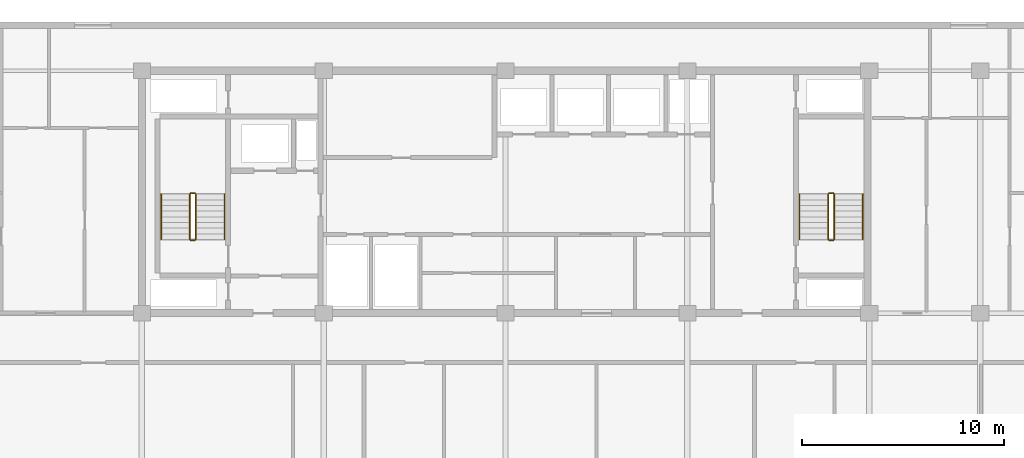
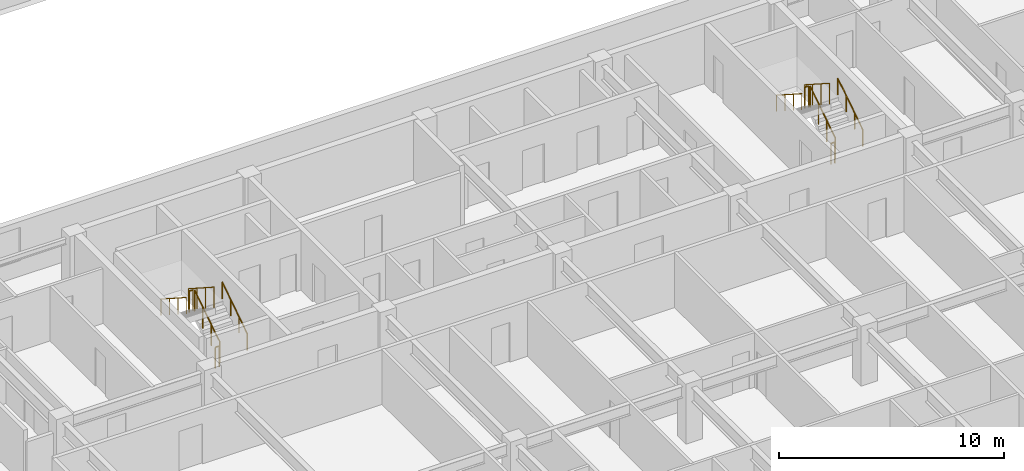
# One storey, part 18 of 21: 12 railings.
"""IFC4 building model written with IfcOpenShell, lengths in metres."""

import ifcopenshell
import ifcopenshell.guid

model = None  # the IFC model being written
_history = None  # IfcOwnerHistory: only IFC2X3 demands one
_inside = {}  # id of a spatial element -> (the spatial element, [elements in it])
_under = {}  # id of a project, library or spatial element -> (it, [spatial elements below it])
_declared = {}  # id of a project -> (the project, [libraries it declares])
_typed = {}  # id of a type object -> (the type object, [elements of that type])
_made_of = {}  # id of a material, layer set ... -> (it, [elements and type objects made of it])


def new_model(schema):
    """Start an empty IFC model of exactly this schema.

    Asked for "IFC4X3", IfcOpenShell would pick the latest addendum, in which some entities
    have other attributes; the version numbers below select the first issue.
    IFC2X3 requires an IfcOwnerHistory on every rooted entity: one is made here for all.
    """
    global model, _history
    if schema == "IFC4X3":
        model = ifcopenshell.file(schema_version=(4, 3, 0, 0))
    else:
        model = ifcopenshell.file(schema=schema)
    _inside.clear()
    _under.clear()
    _declared.clear()
    _typed.clear()
    _made_of.clear()
    _history = None
    if model.schema == "IFC2X3":
        org = make("IfcOrganization", Name="unknown")
        user = make(
            "IfcPersonAndOrganization",
            ThePerson=make("IfcPerson", FamilyName="unknown"),
            TheOrganization=org,
        )
        app = make(
            "IfcApplication",
            ApplicationDeveloper=org,
            Version="unknown",
            ApplicationFullName="unknown",
            ApplicationIdentifier="unknown",
        )
        _history = make(
            "IfcOwnerHistory",
            OwningUser=user,
            OwningApplication=app,
            ChangeAction="ADDED",
            CreationDate=0,
        )
    return model


def make(cls, **values):
    """One entity of the class cls with the attributes given. An attribute that is None is left unset."""
    return model.create_entity(
        cls, **{name: value for name, value in values.items() if value is not None}
    )


def rooted(cls, **values):
    """An entity with a GlobalId (a new one), such as an element, a storey or a relation."""
    return make(cls, GlobalId=ifcopenshell.guid.new(), OwnerHistory=_history, **values)


def si_unit(unit_type, name, prefix=None):
    """IfcSIUnit, for example si_unit("LENGTHUNIT", "METRE", prefix="MILLI")."""
    return make("IfcSIUnit", UnitType=unit_type, Prefix=prefix, Name=name)


def assignment(units):
    """IfcUnitAssignment: the units of a project."""
    return None if units is None else make("IfcUnitAssignment", Units=units)


def point(xyz):
    """IfcCartesianPoint."""
    return None if xyz is None else make("IfcCartesianPoint", Coordinates=xyz)


def direction(xyz):
    """IfcDirection."""
    return None if xyz is None else make("IfcDirection", DirectionRatios=xyz)


def frame(location, z_axis=None, x_axis=None):
    """IfcAxis2Placement3D, a coordinate frame: its origin and axes. An axis left out is left unset."""
    return make(
        "IfcAxis2Placement3D",
        Location=point(location),
        Axis=direction(z_axis),
        RefDirection=direction(x_axis),
    )


def frame_2d(location, x_axis=None):
    """IfcAxis2Placement2D, a coordinate frame in the plane: its origin and x axis."""
    return make(
        "IfcAxis2Placement2D", Location=point(location), RefDirection=direction(x_axis)
    )


def origin():
    """The frame at (0, 0, 0) with its axes left unset."""
    return frame((0.0, 0.0, 0.0))


def origin_2d():
    """The frame at (0, 0) in the plane with its x axis left unset."""
    return frame_2d((0.0, 0.0))


def place(relative_to, where):
    """IfcLocalPlacement: puts the frame where relative to a parent placement (None: the world)."""
    return make(
        "IfcLocalPlacement", PlacementRelTo=relative_to, RelativePlacement=where
    )


def context(
    kind, dimensions, precision=None, world=None, true_north=None, identifier=None
):
    """IfcGeometricRepresentationContext, for example the 3D "Model" context."""
    return make(
        "IfcGeometricRepresentationContext",
        ContextIdentifier=identifier,
        ContextType=kind,
        CoordinateSpaceDimension=dimensions,
        Precision=precision,
        WorldCoordinateSystem=world,
        TrueNorth=true_north,
    )


def subcontext(parent, identifier, kind, view, scale=None):
    """IfcGeometricRepresentationSubContext, for example "Body" below "Model"."""
    return make(
        "IfcGeometricRepresentationSubContext",
        ContextIdentifier=identifier,
        ContextType=kind,
        ParentContext=parent,
        TargetScale=scale,
        TargetView=view,
    )


def project(units=None, contexts=None):
    """IfcProject with its units and contexts."""
    return rooted(
        "IfcProject",
        Name="project",
        RepresentationContexts=contexts,
        UnitsInContext=assignment(units),
    )


def spatial(cls, under=None, at=None, **own):
    """A site, building, storey or space (cls), placed at a placement, below another one or the project."""
    s = rooted(cls, ObjectPlacement=at, **own)
    if under is not None:
        _under.setdefault(under.id(), (under, []))[1].append(s)
    return s


def profile(cls, at=None, kind="AREA", **sizes):
    """A parametric profile (cls). Its sizes go by their IFC names, for example OverallWidth=200.0."""
    return make(cls, ProfileType=kind, Position=at, **sizes)


def circle(**sizes):
    """IfcCircleProfileDef."""
    return profile("IfcCircleProfileDef", **sizes)


def extrude(swept, where, along, depth):
    """IfcExtrudedAreaSolid: the profile swept, set in the frame where, extruded along a direction by depth."""
    return make(
        "IfcExtrudedAreaSolid",
        SweptArea=swept,
        Position=where,
        ExtrudedDirection=direction(along),
        Depth=depth,
    )


def shape(context_of_items, identifier, shape_type, items):
    """IfcShapeRepresentation: the items that make up one representation, for example the "Body"."""
    return make(
        "IfcShapeRepresentation",
        ContextOfItems=context_of_items,
        RepresentationIdentifier=identifier,
        RepresentationType=shape_type,
        Items=items,
    )


def material(Name=None, Category=None):
    """IfcMaterial."""
    return make("IfcMaterial", Name=Name, Category=Category)


def made_of(thing, what):
    """Note that an element or type object is made of a material, layer set ...; save() writes the relation."""
    if what is not None:
        _made_of.setdefault(what.id(), (what, []))[1].append(thing)
    return thing


def type_object(cls, material=None, **own):
    """A type object (cls), such as IfcWallType, which elements share."""
    return made_of(rooted(cls, **own), material)


def element(
    cls,
    number,
    at=None,
    inside=None,
    cuts=None,
    type_object=None,
    material=None,
    context=None,
    identifier="Body",
    shape_type=None,
    held_by="IfcProductDefinitionShape",
    body=None,
    shapes=None,
    **own,
):
    """One element of the class cls, such as IfcWall. Its Tag is "e" and its number.

    at: its placement. inside: the storey or other place that contains it. cuts: it is an
    opening in that element (IfcRelVoidsElement). A single representation is given by context,
    identifier, shape_type and body (its items); several are given by shapes. held_by: the class
    of the entity that holds the representations. save() writes the other relations.
    """
    e = rooted(cls, Tag="e%d" % number, ObjectPlacement=at, **own)
    if body is not None:
        shapes = [shape(context, identifier, shape_type, body)]
    if shapes is not None:
        e.Representation = make(held_by, Representations=shapes)
    if inside is not None:
        _inside.setdefault(inside.id(), (inside, []))[1].append(e)
    if cuts is not None:
        rooted(
            "IfcRelVoidsElement", RelatingBuildingElement=cuts, RelatedOpeningElement=e
        )
    if type_object is not None:
        _typed.setdefault(type_object.id(), (type_object, []))[1].append(e)
    return made_of(e, material)


def aggregate(whole, parts):
    """IfcRelAggregates: a whole, such as a stair, and the parts it consists of."""
    return rooted("IfcRelAggregates", RelatingObject=whole, RelatedObjects=parts)


def save(model, path):
    """Write the relations noted so far, then the file.

    IfcRelAggregates (storeys below a building ...), IfcRelContainedInSpatialStructure (elements
    in a storey), IfcRelDefinesByType, IfcRelAssociatesMaterial and IfcRelDeclares: one each for
    every whole, place, type object, material and project.
    """
    for whole, parts in _under.values():
        aggregate(whole, parts)
    for where, things in _inside.values():
        rooted(
            "IfcRelContainedInSpatialStructure",
            RelatedElements=things,
            RelatingStructure=where,
        )
    for kind, things in _typed.values():
        rooted("IfcRelDefinesByType", RelatedObjects=things, RelatingType=kind)
    for what, things in _made_of.values():
        rooted("IfcRelAssociatesMaterial", RelatedObjects=things, RelatingMaterial=what)
    for by, libraries in _declared.values():
        rooted("IfcRelDeclares", RelatingContext=by, RelatedDefinitions=libraries)
    model.write(path)


model = new_model("IFC4")

# Units and contexts
model_context = context("Model", 3, precision=1e-05, world=origin(), true_north=direction((0.0, 1.0)))
body_context = subcontext(model_context, "Body", "Model", "MODEL_VIEW")
ifc_project = project(units=[si_unit("LENGTHUNIT", "METRE"), si_unit("AREAUNIT", "SQUARE_METRE"), si_unit("VOLUMEUNIT", "CUBIC_METRE"), si_unit("PLANEANGLEUNIT", "RADIAN"), si_unit("MASSUNIT", "GRAM", prefix="KILO")], contexts=[model_context])

# Site, building, storey
site_placement = place(None, origin())
site = spatial("IfcSite", under=ifc_project, at=site_placement, CompositionType="ELEMENT")
building_placement = place(site_placement, origin())
building = spatial("IfcBuilding", under=site, at=building_placement, Name="Korimba Cascade Residences", CompositionType="ELEMENT")
storey_placement = place(building_placement, frame((0.0, 0.0, 119.800048828125)))
storey = spatial("IfcBuildingStorey", under=building, at=storey_placement, Name="L34", CompositionType="ELEMENT", Elevation=119.800048828125)

# Railings
ifc_material_1 = material(Name="Painted Steel Stairwell Guardrail", Category="steel")
railing_type_1 = type_object("IfcRailingType", Name="RLG-ST-GD1150", PredefinedType="GUARDRAIL", material=ifc_material_1)
railing_1_placement = place(storey_placement, frame((84.77001953125, 22.050048828125, 0.180419921875)))
element("IfcRailing", 1, at=railing_1_placement, inside=storey, type_object=railing_type_1, Name="L34 ST-E1 stair guard 1", PredefinedType="GUARDRAIL", context=body_context, shape_type="SweptSolid", body=[
    extrude(circle(Radius=0.02392578125, at=origin_2d()), frame((0.0, 0.0, 1.1259765625), z_axis=(0.0, 0.840394893359, 0.541974559565), x_axis=(-1.0, 0.0, 0.0)), (0.0, 0.0, 1.0), 2.665283203125),
    extrude(circle(Radius=0.02099609375, at=origin_2d()), origin(), (0.0, 0.0, 1.0), 1.101806640625),
    extrude(circle(Radius=0.02099609375, at=origin_2d()), frame((0.0, 0.74658203125, 0.4814453125)), (0.0, 0.0, 1.0), 1.101806640625),
    extrude(circle(Radius=0.02099609375, at=origin_2d()), frame((0.0, 1.493408203125, 0.963134765625)), (0.0, 0.0, 1.0), 1.101806640625),
    extrude(circle(Radius=0.02099609375, at=origin_2d()), frame((0.0, 2.239990234375, 1.444580078125)), (0.0, 0.0, 1.0), 1.101806640625),
])
railing_2_placement = place(storey_placement, frame((84.719970703125, 24.340087890625, 1.625)))
element("IfcRailing", 2, at=railing_2_placement, inside=storey, type_object=railing_type_1, Name="L34 ST-E1 stair guard 2", PredefinedType="GUARDRAIL", context=body_context, shape_type="SweptSolid", body=[
    extrude(circle(Radius=0.02392578125, at=origin_2d()), frame((0.0, 0.0, 1.1259765625), z_axis=(-1.0, 0.0, 0.0), x_axis=(0.0, -1.0, 0.0)), (0.0, 0.0, 1.0), 0.199951171875),
    extrude(circle(Radius=0.02099609375, at=origin_2d()), origin(), (0.0, 0.0, 1.0), 1.101806640625),
    extrude(circle(Radius=0.02099609375, at=origin_2d()), frame((-0.199951171875, 0.0, 0.0)), (0.0, 0.0, 1.0), 1.101806640625),
])
railing_3_placement = place(storey_placement, frame((84.469970703125, 24.2900390625, 1.805419921875)))
element("IfcRailing", 3, at=railing_3_placement, inside=storey, type_object=railing_type_1, Name="L34 ST-E1 stair guard 3", PredefinedType="GUARDRAIL", context=body_context, shape_type="SweptSolid", body=[
    extrude(circle(Radius=0.02392578125, at=origin_2d()), frame((0.0, 0.0, 1.1259765625), z_axis=(0.0, -0.840394893359, 0.541974559565), x_axis=(1.0, 0.0, 0.0)), (0.0, 0.0, 1.0), 2.665283203125),
    extrude(circle(Radius=0.02099609375, at=origin_2d()), origin(), (0.0, 0.0, 1.0), 1.101806640625),
    extrude(circle(Radius=0.02099609375, at=origin_2d()), frame((0.0, -0.74658203125, 0.4814453125)), (0.0, 0.0, 1.0), 1.101806640625),
    extrude(circle(Radius=0.02099609375, at=origin_2d()), frame((0.0, -1.493408203125, 0.963134765625)), (0.0, 0.0, 1.0), 1.101806640625),
    extrude(circle(Radius=0.02099609375, at=origin_2d()), frame((0.0, -2.239990234375, 1.444580078125)), (0.0, 0.0, 1.0), 1.101806640625),
])
railing_4_placement = place(storey_placement, frame((84.719970703125, 22.0, 0.0)))
element("IfcRailing", 4, at=railing_4_placement, inside=storey, type_object=railing_type_1, Name="L34 ST-E1 stair guard 4", PredefinedType="GUARDRAIL", context=body_context, shape_type="SweptSolid", body=[
    extrude(circle(Radius=0.02392578125, at=origin_2d()), frame((0.0, 0.0, 1.1259765625), z_axis=(-1.0, 0.0, 0.0), x_axis=(0.0, -1.0, 0.0)), (0.0, 0.0, 1.0), 0.199951171875),
    extrude(circle(Radius=0.02099609375, at=origin_2d()), origin(), (0.0, 0.0, 1.0), 1.101806640625),
    extrude(circle(Radius=0.02099609375, at=origin_2d()), frame((-0.199951171875, 0.0, 0.0)), (0.0, 0.0, 1.0), 1.101806640625),
])
railing_5_placement = place(storey_placement, frame((116.3701171875, 22.050048828125, 0.180419921875)))
element("IfcRailing", 5, at=railing_5_placement, inside=storey, type_object=railing_type_1, Name="L34 ST-E2 stair guard 1", PredefinedType="GUARDRAIL", context=body_context, shape_type="SweptSolid", body=[
    extrude(circle(Radius=0.02392578125, at=origin_2d()), frame((0.0, 0.0, 1.1259765625), z_axis=(0.0, 0.840394893359, 0.541974559565), x_axis=(-1.0, 0.0, 0.0)), (0.0, 0.0, 1.0), 2.665283203125),
    extrude(circle(Radius=0.02099609375, at=origin_2d()), origin(), (0.0, 0.0, 1.0), 1.101806640625),
    extrude(circle(Radius=0.02099609375, at=origin_2d()), frame((0.0, 0.74658203125, 0.4814453125)), (0.0, 0.0, 1.0), 1.101806640625),
    extrude(circle(Radius=0.02099609375, at=origin_2d()), frame((0.0, 1.493408203125, 0.963134765625)), (0.0, 0.0, 1.0), 1.101806640625),
    extrude(circle(Radius=0.02099609375, at=origin_2d()), frame((0.0, 2.239990234375, 1.444580078125)), (0.0, 0.0, 1.0), 1.101806640625),
])
railing_6_placement = place(storey_placement, frame((116.320068359375, 24.340087890625, 1.625)))
element("IfcRailing", 6, at=railing_6_placement, inside=storey, type_object=railing_type_1, Name="L34 ST-E2 stair guard 2", PredefinedType="GUARDRAIL", context=body_context, shape_type="SweptSolid", body=[
    extrude(circle(Radius=0.02392578125, at=origin_2d()), frame((0.0, 0.0, 1.1259765625), z_axis=(-1.0, 0.0, 0.0), x_axis=(0.0, -1.0, 0.0)), (0.0, 0.0, 1.0), 0.199951171875),
    extrude(circle(Radius=0.02099609375, at=origin_2d()), origin(), (0.0, 0.0, 1.0), 1.101806640625),
    extrude(circle(Radius=0.02099609375, at=origin_2d()), frame((-0.199951171875, 0.0, 0.0)), (0.0, 0.0, 1.0), 1.101806640625),
])
railing_7_placement = place(storey_placement, frame((116.070068359375, 24.2900390625, 1.805419921875)))
element("IfcRailing", 7, at=railing_7_placement, inside=storey, type_object=railing_type_1, Name="L34 ST-E2 stair guard 3", PredefinedType="GUARDRAIL", context=body_context, shape_type="SweptSolid", body=[
    extrude(circle(Radius=0.02392578125, at=origin_2d()), frame((0.0, 0.0, 1.1259765625), z_axis=(0.0, -0.840394893359, 0.541974559565), x_axis=(1.0, 0.0, 0.0)), (0.0, 0.0, 1.0), 2.665283203125),
    extrude(circle(Radius=0.02099609375, at=origin_2d()), origin(), (0.0, 0.0, 1.0), 1.101806640625),
    extrude(circle(Radius=0.02099609375, at=origin_2d()), frame((0.0, -0.74658203125, 0.4814453125)), (0.0, 0.0, 1.0), 1.101806640625),
    extrude(circle(Radius=0.02099609375, at=origin_2d()), frame((0.0, -1.493408203125, 0.963134765625)), (0.0, 0.0, 1.0), 1.101806640625),
    extrude(circle(Radius=0.02099609375, at=origin_2d()), frame((0.0, -2.239990234375, 1.444580078125)), (0.0, 0.0, 1.0), 1.101806640625),
])
railing_8_placement = place(storey_placement, frame((116.320068359375, 22.0, 0.0)))
element("IfcRailing", 8, at=railing_8_placement, inside=storey, type_object=railing_type_1, Name="L34 ST-E2 stair guard 4", PredefinedType="GUARDRAIL", context=body_context, shape_type="SweptSolid", body=[
    extrude(circle(Radius=0.02392578125, at=origin_2d()), frame((0.0, 0.0, 1.1259765625), z_axis=(-1.0, 0.0, 0.0), x_axis=(0.0, -1.0, 0.0)), (0.0, 0.0, 1.0), 0.199951171875),
    extrude(circle(Radius=0.02099609375, at=origin_2d()), origin(), (0.0, 0.0, 1.0), 1.101806640625),
    extrude(circle(Radius=0.02099609375, at=origin_2d()), frame((-0.199951171875, 0.0, 0.0)), (0.0, 0.0, 1.0), 1.101806640625),
])
ifc_material_2 = material(Name="Brushed Stainless Steel Handrail", Category="steel")
railing_type_2 = type_object("IfcRailingType", Name="RLG-ST-HR900", PredefinedType="HANDRAIL", material=ifc_material_2)
railing_9_placement = place(storey_placement, frame((86.18994140625, 22.050048828125, 0.364990234375)))
element("IfcRailing", 9, at=railing_9_placement, inside=storey, type_object=railing_type_2, Name="L34 ST-E1 stair handrail 1", PredefinedType="HANDRAIL", context=body_context, shape_type="SweptSolid", body=[
    extrude(circle(Radius=0.02392578125, at=origin_2d()), frame((0.0, 0.0, 0.8759765625), z_axis=(0.0, 0.840436612492, 0.541909863706), x_axis=(-1.0, 0.0, 0.0)), (0.0, 0.0, 1.0), 2.665283203125),
    extrude(circle(Radius=0.02099609375, at=origin_2d()), origin(), (0.0, 0.0, 1.0), 0.851806640625),
    extrude(circle(Radius=0.02099609375, at=origin_2d()), frame((0.0, 0.74658203125, 0.4814453125)), (0.0, 0.0, 1.0), 0.851806640625),
    extrude(circle(Radius=0.02099609375, at=origin_2d()), frame((0.0, 1.493408203125, 0.962890625)), (0.0, 0.0, 1.0), 0.851806640625),
    extrude(circle(Radius=0.02099609375, at=origin_2d()), frame((0.0, 2.239990234375, 1.4443359375)), (0.0, 0.0, 1.0), 0.851806640625),
])
railing_10_placement = place(storey_placement, frame((83.050048828125, 24.2900390625, 1.989990234375)))
element("IfcRailing", 10, at=railing_10_placement, inside=storey, type_object=railing_type_2, Name="L34 ST-E1 stair handrail 2", PredefinedType="HANDRAIL", context=body_context, shape_type="SweptSolid", body=[
    extrude(circle(Radius=0.02392578125, at=origin_2d()), frame((0.0, 0.0, 0.8759765625), z_axis=(0.0, -0.840436612492, 0.541909863706), x_axis=(1.0, 0.0, 0.0)), (0.0, 0.0, 1.0), 2.665283203125),
    extrude(circle(Radius=0.02099609375, at=origin_2d()), origin(), (0.0, 0.0, 1.0), 0.851806640625),
    extrude(circle(Radius=0.02099609375, at=origin_2d()), frame((0.0, -0.74658203125, 0.4814453125)), (0.0, 0.0, 1.0), 0.851806640625),
    extrude(circle(Radius=0.02099609375, at=origin_2d()), frame((0.0, -1.493408203125, 0.962890625)), (0.0, 0.0, 1.0), 0.851806640625),
    extrude(circle(Radius=0.02099609375, at=origin_2d()), frame((0.0, -2.239990234375, 1.4443359375)), (0.0, 0.0, 1.0), 0.851806640625),
])
railing_11_placement = place(storey_placement, frame((117.7900390625, 22.050048828125, 0.364990234375)))
element("IfcRailing", 11, at=railing_11_placement, inside=storey, type_object=railing_type_2, Name="L34 ST-E2 stair handrail 1", PredefinedType="HANDRAIL", context=body_context, shape_type="SweptSolid", body=[
    extrude(circle(Radius=0.02392578125, at=origin_2d()), frame((0.0, 0.0, 0.8759765625), z_axis=(0.0, 0.840436612492, 0.541909863706), x_axis=(-1.0, 0.0, 0.0)), (0.0, 0.0, 1.0), 2.665283203125),
    extrude(circle(Radius=0.02099609375, at=origin_2d()), origin(), (0.0, 0.0, 1.0), 0.851806640625),
    extrude(circle(Radius=0.02099609375, at=origin_2d()), frame((0.0, 0.74658203125, 0.4814453125)), (0.0, 0.0, 1.0), 0.851806640625),
    extrude(circle(Radius=0.02099609375, at=origin_2d()), frame((0.0, 1.493408203125, 0.962890625)), (0.0, 0.0, 1.0), 0.851806640625),
    extrude(circle(Radius=0.02099609375, at=origin_2d()), frame((0.0, 2.239990234375, 1.4443359375)), (0.0, 0.0, 1.0), 0.851806640625),
])
railing_12_placement = place(storey_placement, frame((114.64990234375, 24.2900390625, 1.989990234375)))
element("IfcRailing", 12, at=railing_12_placement, inside=storey, type_object=railing_type_2, Name="L34 ST-E2 stair handrail 2", PredefinedType="HANDRAIL", context=body_context, shape_type="SweptSolid", body=[
    extrude(circle(Radius=0.02392578125, at=origin_2d()), frame((0.0, 0.0, 0.8759765625), z_axis=(0.0, -0.840436612492, 0.541909863706), x_axis=(1.0, 0.0, 0.0)), (0.0, 0.0, 1.0), 2.665283203125),
    extrude(circle(Radius=0.02099609375, at=origin_2d()), origin(), (0.0, 0.0, 1.0), 0.851806640625),
    extrude(circle(Radius=0.02099609375, at=origin_2d()), frame((0.0, -0.74658203125, 0.4814453125)), (0.0, 0.0, 1.0), 0.851806640625),
    extrude(circle(Radius=0.02099609375, at=origin_2d()), frame((0.0, -1.493408203125, 0.962890625)), (0.0, 0.0, 1.0), 0.851806640625),
    extrude(circle(Radius=0.02099609375, at=origin_2d()), frame((0.0, -2.239990234375, 1.4443359375)), (0.0, 0.0, 1.0), 0.851806640625),
])

save(model, "model.ifc")
